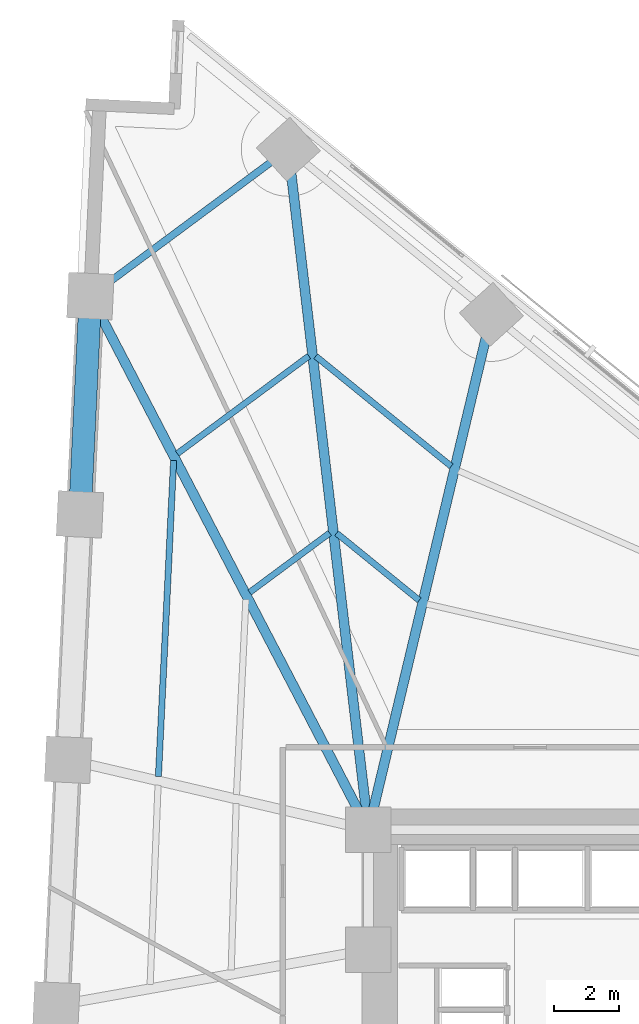
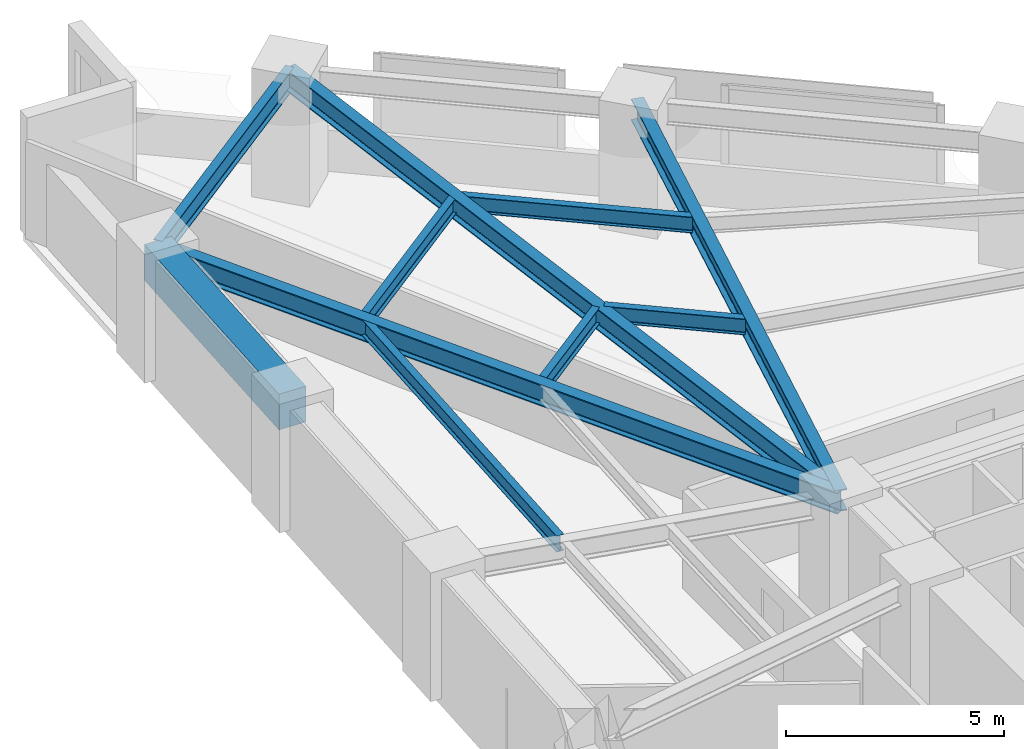
# One storey, part 8 of 17: 10 beams.
"""IFC4 building model written with IfcOpenShell, lengths in metres."""

from ifc_helpers import new_model, si_unit, direction, frame, origin, origin_2d, place, context, subcontext, project, spatial, rectangle, i_section, extrude, material, material_profile, profile_set, type_object, element, save


model = new_model("IFC4")

# Units and contexts
model_context = context("Model", 3, precision=1e-05, world=origin(), true_north=direction((0.0, 1.0)))
body_context = subcontext(model_context, "Body", "Model", "MODEL_VIEW")
ifc_project = project(units=[si_unit("LENGTHUNIT", "METRE"), si_unit("AREAUNIT", "SQUARE_METRE"), si_unit("VOLUMEUNIT", "CUBIC_METRE"), si_unit("PLANEANGLEUNIT", "RADIAN"), si_unit("MASSUNIT", "GRAM", prefix="KILO")], contexts=[model_context])

# Site, building, storey
site_placement = place(None, origin())
site = spatial("IfcSite", under=ifc_project, at=site_placement, CompositionType="ELEMENT")
building_placement = place(site_placement, origin())
building = spatial("IfcBuilding", under=site, at=building_placement, Name="Narakoshi Arena Tower", CompositionType="ELEMENT")
storey_placement = place(building_placement, frame((0.0, 0.0, 33.89990234375)))
storey = spatial("IfcBuildingStorey", under=building, at=storey_placement, Name="L08", CompositionType="ELEMENT", Elevation=33.89990234375)

# Beams
ifc_material_1 = material(Name="Concrete C60/75", Category="concrete")
ifc_material_profile_1 = material_profile(ifc_material_1, rectangle(XDim=0.699951171875, YDim=1.0, at=origin_2d()), Name="RCB700x1000")
ifc_profile_set_1 = profile_set([ifc_material_profile_1], Name="Concrete C60/75")
beam_type_1 = type_object("IfcBeamType", Name="BM-CPL-1000", PredefinedType="BEAM", material=ifc_profile_set_1)
beam_1_placement = place(storey_placement, frame((63.42822265625, 72.95654296875, 2.840087890625), z_axis=(-0.047987034988, -0.998847958637, 0.0), x_axis=(0.998847958637, -0.047987034988, 0.0)))
element("IfcBeam", 1, at=beam_1_placement, inside=storey, type_object=beam_type_1, Name="L08 Perimeter Edge Girder 13", PredefinedType="BEAM", context=body_context, shape_type="SweptSolid", body=[
    extrude(rectangle(XDim=0.699951171875, YDim=1.0, at=origin_2d()), origin(), (0.0, 0.0, 1.0), 6.736083984375),
])
ifc_material_2 = material(Name="Structural steel S355J2", Category="steel")
ifc_material_profile_2 = material_profile(ifc_material_2, i_section(OverallWidth=0.219970703125, OverallDepth=0.60009765625, WebThickness=0.011962890625, FlangeThickness=0.01904296875, FilletRadius=0.02392578125, at=origin_2d()), Name="IPE600")
ifc_profile_set_2 = profile_set([ifc_material_profile_2], Name="Structural steel S355J2")
beam_type_2 = type_object("IfcBeamType", Name="BM-EDGE-600", PredefinedType="BEAM", material=ifc_profile_set_2)
beam_2_placement = place(storey_placement, frame((69.531005859375, 77.483154296875, 3.0400390625), z_axis=(-0.80317737809, -0.595739959482, 0.0), x_axis=(0.595739959482, -0.80317737809, 0.0)))
element("IfcBeam", 2, at=beam_2_placement, inside=storey, type_object=beam_type_2, Name="L08 Perimeter Edge Girder 12", PredefinedType="BEAM", context=body_context, shape_type="SweptSolid", body=[
    extrude(i_section(OverallWidth=0.219970703125, OverallDepth=0.60009765625, WebThickness=0.011962890625, FlangeThickness=0.01904296875, FilletRadius=0.02392578125, at=origin_2d()), origin(), (0.0, 0.0, 1.0), 7.598388671875),
])
ifc_material_profile_3 = material_profile(ifc_material_2, i_section(OverallWidth=0.300048828125, OverallDepth=0.60009765625, WebThickness=0.015380859375, FlangeThickness=0.030029296875, FilletRadius=0.027099609375, at=origin_2d()), Name="HE600B")
ifc_profile_set_3 = profile_set([ifc_material_profile_3], Name="Structural steel S355J2")
beam_type_3 = type_object("IfcBeamType", Name="BM-PRI-600", PredefinedType="BEAM", material=ifc_profile_set_3)
beam_3_placement = place(storey_placement, frame((72.0, 56.5, 3.0400390625), z_axis=(0.23221708245, 0.972663984436, 0.0), x_axis=(-0.972663984436, 0.23221708245, 0.0)))
element("IfcBeam", 3, at=beam_3_placement, inside=storey, type_object=beam_type_3, Name="L08 Radial Primary Floor Girder 11", PredefinedType="BEAM", context=body_context, shape_type="SweptSolid", body=[
    extrude(i_section(OverallWidth=0.300048828125, OverallDepth=0.60009765625, WebThickness=0.015380859375, FlangeThickness=0.030029296875, FilletRadius=0.027099609375, at=origin_2d()), origin(), (0.0, 0.0, 1.0), 16.3388671875),
])
beam_4_placement = place(storey_placement, frame((72.0, 56.5, 3.0400390625), z_axis=(-0.11685934963, 0.993148474501, 0.0), x_axis=(-0.993148474501, -0.11685934963, 0.0)))
element("IfcBeam", 4, at=beam_4_placement, inside=storey, type_object=beam_type_3, Name="L08 Radial Primary Floor Girder 12", PredefinedType="BEAM", context=body_context, shape_type="SweptSolid", body=[
    extrude(i_section(OverallWidth=0.300048828125, OverallDepth=0.60009765625, WebThickness=0.015380859375, FlangeThickness=0.030029296875, FilletRadius=0.027099609375, at=origin_2d()), origin(), (0.0, 0.0, 1.0), 21.1279296875),
])
beam_5_placement = place(storey_placement, frame((72.0, 56.5, 3.0400390625), z_axis=(-0.461962449766, 0.886899484162, 0.0), x_axis=(-0.886899484162, -0.461962449766, 0.0)))
element("IfcBeam", 5, at=beam_5_placement, inside=storey, type_object=beam_type_3, Name="L08 Radial Primary Floor Girder 13", PredefinedType="BEAM", context=body_context, shape_type="SweptSolid", body=[
    extrude(i_section(OverallWidth=0.300048828125, OverallDepth=0.60009765625, WebThickness=0.015380859375, FlangeThickness=0.030029296875, FilletRadius=0.027099609375, at=origin_2d()), origin(), (0.0, 0.0, 1.0), 18.55517578125),
])
ifc_material_profile_4 = material_profile(ifc_material_2, i_section(OverallWidth=0.18994140625, OverallDepth=0.449951171875, WebThickness=0.009521484375, FlangeThickness=0.0146484375, FilletRadius=0.02099609375, at=origin_2d()), Name="IPE450")
ifc_profile_set_4 = profile_set([ifc_material_profile_4], Name="Structural steel S355J2")
beam_type_4 = type_object("IfcBeamType", Name="BM-SEC-450", PredefinedType="JOIST", material=ifc_profile_set_4)
beam_6_placement = place(storey_placement, frame((73.564697265625, 63.577880859375, 3.114990234375), z_axis=(-0.77601840583, 0.630710261383, 0.0), x_axis=(-0.630710261383, -0.77601840583, 0.0)))
element("IfcBeam", 6, at=beam_6_placement, inside=storey, type_object=beam_type_4, Name="L08 Composite Secondary Floor Joist 15", PredefinedType="JOIST", context=body_context, shape_type="SweptSolid", body=[
    extrude(i_section(OverallWidth=0.18994140625, OverallDepth=0.449951171875, WebThickness=0.009521484375, FlangeThickness=0.0146484375, FilletRadius=0.02099609375, at=origin_2d()), origin(), (0.0, 0.0, 1.0), 3.28125),
])
beam_7_placement = place(storey_placement, frame((74.55126953125, 67.709716796875, 3.114990234375), z_axis=(-0.775997387035, 0.630736121778, 0.0), x_axis=(-0.630736121778, -0.775997387035, 0.0)))
element("IfcBeam", 7, at=beam_7_placement, inside=storey, type_object=beam_type_4, Name="L08 Composite Secondary Floor Joist 16", PredefinedType="JOIST", context=body_context, shape_type="SweptSolid", body=[
    extrude(i_section(OverallWidth=0.18994140625, OverallDepth=0.449951171875, WebThickness=0.009521484375, FlangeThickness=0.0146484375, FilletRadius=0.02099609375, at=origin_2d()), origin(), (0.0, 0.0, 1.0), 5.3798828125),
])
beam_8_placement = place(storey_placement, frame((70.80517578125, 65.652099609375, 3.114990234375), z_axis=(-0.803172826668, -0.595746095666, 0.0), x_axis=(0.595746095666, -0.803172826668, 0.0)))
element("IfcBeam", 8, at=beam_8_placement, inside=storey, type_object=beam_type_4, Name="L08 Composite Secondary Floor Joist 17", PredefinedType="JOIST", context=body_context, shape_type="SweptSolid", body=[
    extrude(i_section(OverallWidth=0.18994140625, OverallDepth=0.449951171875, WebThickness=0.009521484375, FlangeThickness=0.0146484375, FilletRadius=0.02099609375, at=origin_2d()), origin(), (0.0, 0.0, 1.0), 3.0732421875),
])
beam_9_placement = place(storey_placement, frame((70.163330078125, 71.10791015625, 3.114990234375), z_axis=(-0.803180127116, -0.595736253225, 0.0), x_axis=(0.595736253225, -0.803180127116, 0.0)))
element("IfcBeam", 9, at=beam_9_placement, inside=storey, type_object=beam_type_4, Name="L08 Composite Secondary Floor Joist 18", PredefinedType="JOIST", context=body_context, shape_type="SweptSolid", body=[
    extrude(i_section(OverallWidth=0.18994140625, OverallDepth=0.449951171875, WebThickness=0.009521484375, FlangeThickness=0.0146484375, FilletRadius=0.02099609375, at=origin_2d()), origin(), (0.0, 0.0, 1.0), 5.048828125),
])
beam_10_placement = place(storey_placement, frame((65.993408203125, 67.884765625, 3.114990234375), z_axis=(-0.047976776959, -0.998848451404, 0.0), x_axis=(0.998848451404, -0.047976776959, 0.0)))
element("IfcBeam", 10, at=beam_10_placement, inside=storey, type_object=beam_type_4, Name="L08 Composite Secondary Floor Joist 20", PredefinedType="JOIST", context=body_context, shape_type="SweptSolid", body=[
    extrude(i_section(OverallWidth=0.18994140625, OverallDepth=0.449951171875, WebThickness=0.009521484375, FlangeThickness=0.0146484375, FilletRadius=0.02099609375, at=origin_2d()), origin(), (0.0, 0.0, 1.0), 9.75),
])

save(model, "model.ifc")
